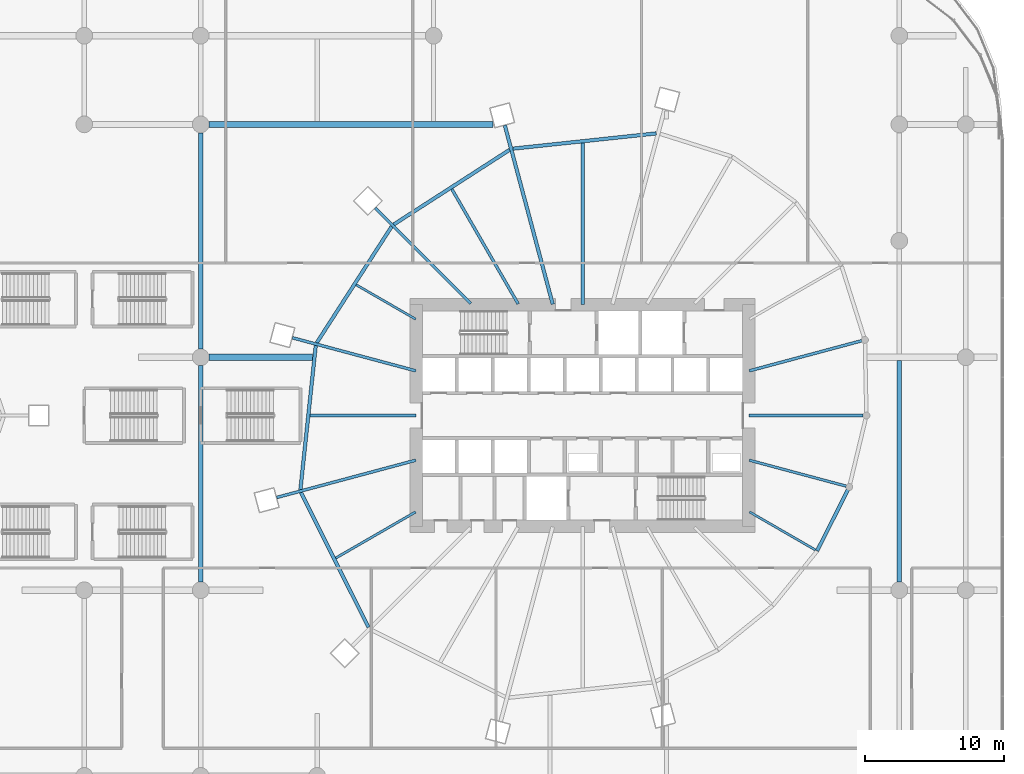
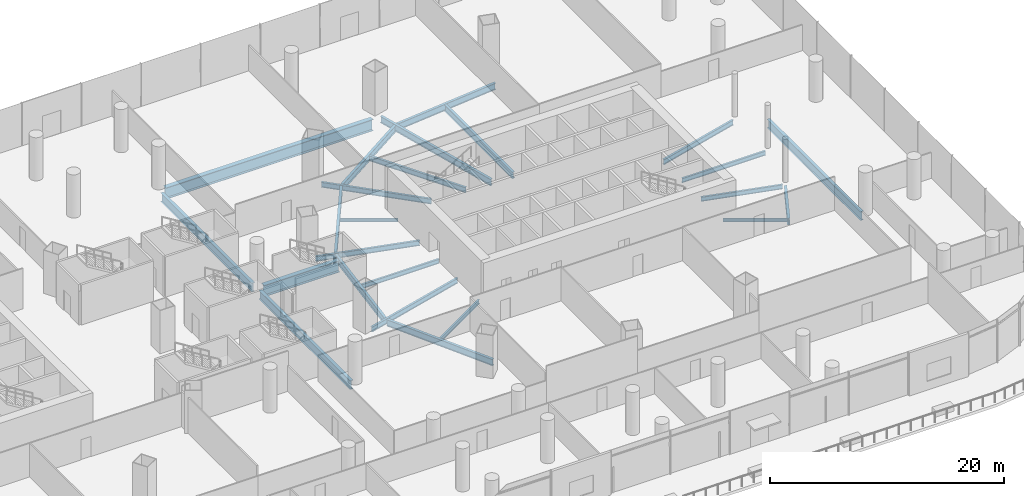
# One storey, part 15 of 43: 24 beams.
"""IFC4 building model written with IfcOpenShell, lengths in metres."""

from ifc_helpers import new_model, si_unit, direction, frame, origin, origin_2d, place, context, subcontext, project, spatial, i_section, extrude, material, material_profile, profile_set, type_object, element, save


model = new_model("IFC4")

# Units and contexts
model_context = context("Model", 3, precision=1e-05, world=origin(), true_north=direction((0.0, 1.0)))
body_context = subcontext(model_context, "Body", "Model", "MODEL_VIEW")
ifc_project = project(units=[si_unit("LENGTHUNIT", "METRE"), si_unit("AREAUNIT", "SQUARE_METRE"), si_unit("VOLUMEUNIT", "CUBIC_METRE"), si_unit("PLANEANGLEUNIT", "RADIAN"), si_unit("MASSUNIT", "GRAM", prefix="KILO")], contexts=[model_context])

# Site, building, storey
site_placement = place(None, origin())
site = spatial("IfcSite", under=ifc_project, at=site_placement, CompositionType="ELEMENT")
building_placement = place(site_placement, origin())
building = spatial("IfcBuilding", under=site, at=building_placement, Name="Rimbun Link Towers", CompositionType="ELEMENT")
storey_placement = place(building_placement, frame((0.0, 0.0, 12.0)))
storey = spatial("IfcBuildingStorey", under=building, at=storey_placement, Name="L02", CompositionType="ELEMENT", Elevation=12.0)

# Beams
ifc_material_1 = material(Name="Steel S355J2", Category="steel")
ifc_material_profile_1 = material_profile(ifc_material_1, i_section(OverallWidth=0.449951171875, OverallDepth=1.199951171875, WebThickness=0.030029296875, FlangeThickness=0.044921875, at=origin_2d()), Name="PG 1200x450x30/45")
ifc_profile_set_1 = profile_set([ifc_material_profile_1], Name="Steel S355J2")
beam_type_1 = type_object("IfcBeamType", Name="PG 1200x450x30/45", PredefinedType="BEAM", material=ifc_profile_set_1)
beam_1_placement = place(storey_placement, frame((4.800048828125, 4.199951171875, -0.89990234375), z_axis=(1.0, 0.0, 0.0), x_axis=(0.0, 1.0, 0.0)))
element("IfcBeam", 1, at=beam_1_placement, inside=storey, type_object=beam_type_1, Name="Grid beam L02 +4.2", PredefinedType="BEAM", context=body_context, shape_type="SweptSolid", body=[
    extrude(i_section(OverallWidth=0.449951171875, OverallDepth=1.199951171875, WebThickness=0.030029296875, FlangeThickness=0.044921875, at=origin_2d()), origin(), (0.0, 0.0, 1.0), 7.45751953125),
])
beam_2_placement = place(storey_placement, frame((4.800048828125, 21.0, -0.89990234375), z_axis=(1.0, 0.0, 0.0), x_axis=(0.0, 1.0, 0.0)))
element("IfcBeam", 2, at=beam_2_placement, inside=storey, type_object=beam_type_1, Name="Grid beam L02 +21.0", PredefinedType="BEAM", context=body_context, shape_type="SweptSolid", body=[
    extrude(i_section(OverallWidth=0.449951171875, OverallDepth=1.199951171875, WebThickness=0.030029296875, FlangeThickness=0.044921875, at=origin_2d()), origin(), (0.0, 0.0, 1.0), 20.47998046875),
])
ifc_material_2 = material(Name="Steel S355J2", Category="steel")
ifc_material_profile_2 = material_profile(ifc_material_2, i_section(OverallWidth=0.1650390625, OverallDepth=0.303466796875, WebThickness=0.006103515625, FlangeThickness=0.01025390625, at=origin_2d()), Name="UB 305x165x40")
ifc_profile_set_2 = profile_set([ifc_material_profile_2], Name="Steel S355J2")
beam_type_2 = type_object("IfcBeamType", Name="UB 305x165x40", PredefinedType="BEAM", material=ifc_profile_set_2)
beam_3_placement = place(storey_placement, frame((19.7080078125, 6.952392578125, -0.45166015625), z_axis=(-0.866029649098, 0.49999264683, 0.0), x_axis=(-0.49999264683, -0.866029649098, 0.0)))
element("IfcBeam", 3, at=beam_3_placement, inside=storey, type_object=beam_type_2, Name="Radial beam T2 L02 07", PredefinedType="BEAM", context=body_context, shape_type="SweptSolid", body=[
    extrude(i_section(OverallWidth=0.1650390625, OverallDepth=0.303466796875, WebThickness=0.006103515625, FlangeThickness=0.01025390625, at=origin_2d()), origin(), (0.0, 0.0, 1.0), 4.95361328125),
])
beam_4_placement = place(storey_placement, frame((43.7919921875, -6.952392578125, -0.45166015625), z_axis=(0.86600383438, -0.500037357444, 0.0), x_axis=(0.500037357444, 0.86600383438, 0.0)))
element("IfcBeam", 4, at=beam_4_placement, inside=storey, type_object=beam_type_2, Name="Radial beam T2 L02 19", PredefinedType="BEAM", context=body_context, shape_type="SweptSolid", body=[
    extrude(i_section(OverallWidth=0.1650390625, OverallDepth=0.303466796875, WebThickness=0.006103515625, FlangeThickness=0.01025390625, at=origin_2d()), origin(), (0.0, 0.0, 1.0), 5.5029296875),
])
ifc_material_3 = material(Name="Steel S355J2", Category="steel")
ifc_material_profile_3 = material_profile(ifc_material_3, i_section(OverallWidth=0.177978515625, OverallDepth=0.406494140625, WebThickness=0.0078125, FlangeThickness=0.0126953125, at=origin_2d()), Name="UB 406x178x60")
ifc_profile_set_3 = profile_set([ifc_material_profile_3], Name="Steel S355J2")
beam_type_3 = type_object("IfcBeamType", Name="UB 406x178x60", PredefinedType="BEAM", material=ifc_profile_set_3)
beam_5_placement = place(storey_placement, frame((19.70458984375, -6.954345703125, -0.503173828125), z_axis=(-0.866016262799, -0.500015832317, 0.0), x_axis=(0.500015832317, -0.866016262799, 0.0)))
element("IfcBeam", 5, at=beam_5_placement, inside=storey, type_object=beam_type_3, Name="Radial beam T2 L02 11", PredefinedType="BEAM", context=body_context, shape_type="SweptSolid", body=[
    extrude(i_section(OverallWidth=0.177978515625, OverallDepth=0.406494140625, WebThickness=0.0078125, FlangeThickness=0.0126953125, at=origin_2d()), origin(), (0.0, 0.0, 1.0), 6.651123046875),
])
ifc_material_4 = material(Name="Steel S355J2", Category="steel")
ifc_material_profile_4 = material_profile(ifc_material_4, i_section(OverallWidth=0.18994140625, OverallDepth=0.453369140625, WebThickness=0.008544921875, FlangeThickness=0.0126953125, at=origin_2d()), Name="UB 457x191x67")
ifc_profile_set_4 = profile_set([ifc_material_profile_4], Name="Steel S355J2")
beam_type_4 = type_object("IfcBeamType", Name="UB 457x191x67", PredefinedType="BEAM", material=ifc_profile_set_4)
beam_6_placement = place(storey_placement, frame((19.7490234375, 0.0, -0.526611328125), z_axis=(-1.0, 0.0, 0.0), x_axis=(0.0, -1.0, 0.0)))
element("IfcBeam", 6, at=beam_6_placement, inside=storey, type_object=beam_type_4, Name="Radial beam T2 L02 09", PredefinedType="BEAM", context=body_context, shape_type="SweptSolid", body=[
    extrude(i_section(OverallWidth=0.18994140625, OverallDepth=0.453369140625, WebThickness=0.008544921875, FlangeThickness=0.0126953125, at=origin_2d()), origin(), (0.0, 0.0, 1.0), 7.65771484375),
])
beam_7_placement = place(storey_placement, frame((43.775390625, -3.22216796875, -0.526611328125), z_axis=(0.965928471546, -0.258809172667, 0.0), x_axis=(0.258809172667, 0.965928471546, 0.0)))
element("IfcBeam", 7, at=beam_7_placement, inside=storey, type_object=beam_type_4, Name="Radial beam T2 L02 20", PredefinedType="BEAM", context=body_context, shape_type="SweptSolid", body=[
    extrude(i_section(OverallWidth=0.18994140625, OverallDepth=0.453369140625, WebThickness=0.008544921875, FlangeThickness=0.0126953125, at=origin_2d()), origin(), (0.0, 0.0, 1.0), 7.2353515625),
])
beam_8_placement = place(storey_placement, frame((43.7509765625, 0.0, -0.526611328125), z_axis=(1.0, 0.0, 0.0), x_axis=(0.0, 1.0, 0.0)))
element("IfcBeam", 8, at=beam_8_placement, inside=storey, type_object=beam_type_4, Name="Radial beam T2 L02 21", PredefinedType="BEAM", context=body_context, shape_type="SweptSolid", body=[
    extrude(i_section(OverallWidth=0.18994140625, OverallDepth=0.453369140625, WebThickness=0.008544921875, FlangeThickness=0.0126953125, at=origin_2d()), origin(), (0.0, 0.0, 1.0), 8.243408203125),
])
ifc_material_5 = material(Name="Steel S355J2", Category="steel")
ifc_material_profile_5 = material_profile(ifc_material_5, i_section(OverallWidth=0.209228515625, OverallDepth=0.533203125, WebThickness=0.010009765625, FlangeThickness=0.015625, at=origin_2d()), Name="UB 533x210x92")
ifc_profile_set_5 = profile_set([ifc_material_profile_5], Name="Steel S355J2")
beam_type_5 = type_object("IfcBeamType", Name="UB 533x210x92", PredefinedType="BEAM", material=ifc_profile_set_5)
beam_9_placement = place(storey_placement, frame((27.1005859375, 8.05322265625, -0.566650390625), z_axis=(-0.500001003139, 0.866024824621, 0.0), x_axis=(-0.866024824621, -0.500001003139, 0.0)))
element("IfcBeam", 9, at=beam_9_placement, inside=storey, type_object=beam_type_5, Name="Radial beam T2 L02 05", PredefinedType="BEAM", context=body_context, shape_type="SweptSolid", body=[
    extrude(i_section(OverallWidth=0.209228515625, OverallDepth=0.533203125, WebThickness=0.010009765625, FlangeThickness=0.015625, at=origin_2d()), origin(), (0.0, 0.0, 1.0), 9.5595703125),
])
beam_10_placement = place(storey_placement, frame((23.67529296875, 8.07470703125, -0.566650390625), z_axis=(-0.707106781187, 0.707106781187, 0.0), x_axis=(-0.707106781187, -0.707106781187, 0.0)))
element("IfcBeam", 10, at=beam_10_placement, inside=storey, type_object=beam_type_5, Name="Radial beam T2 L02 06", PredefinedType="BEAM", context=body_context, shape_type="SweptSolid", body=[
    extrude(i_section(OverallWidth=0.209228515625, OverallDepth=0.533203125, WebThickness=0.010009765625, FlangeThickness=0.015625, at=origin_2d()), origin(), (0.0, 0.0, 1.0), 9.73486328125),
])
beam_11_placement = place(storey_placement, frame((19.721923828125, 3.222900390625, -0.566650390625), z_axis=(-0.965927485499, 0.258812852768, 0.0), x_axis=(-0.258812852768, -0.965927485499, 0.0)))
element("IfcBeam", 11, at=beam_11_placement, inside=storey, type_object=beam_type_5, Name="Radial beam T2 L02 08", PredefinedType="BEAM", context=body_context, shape_type="SweptSolid", body=[
    extrude(i_section(OverallWidth=0.209228515625, OverallDepth=0.533203125, WebThickness=0.010009765625, FlangeThickness=0.015625, at=origin_2d()), origin(), (0.0, 0.0, 1.0), 9.219970703125),
])
beam_12_placement = place(storey_placement, frame((19.721923828125, -3.222900390625, -0.566650390625), z_axis=(-0.965924246626, -0.258824940413, 0.0), x_axis=(0.258824940413, -0.965924246626, 0.0)))
element("IfcBeam", 12, at=beam_12_placement, inside=storey, type_object=beam_type_5, Name="Radial beam T2 L02 10", PredefinedType="BEAM", context=body_context, shape_type="SweptSolid", body=[
    extrude(i_section(OverallWidth=0.209228515625, OverallDepth=0.533203125, WebThickness=0.010009765625, FlangeThickness=0.015625, at=origin_2d()), origin(), (0.0, 0.0, 1.0), 10.391845703125),
])
beam_13_placement = place(storey_placement, frame((43.778076171875, 3.222900390625, -0.566650390625), z_axis=(0.965923668539, 0.258827097802, 0.0), x_axis=(-0.258827097802, 0.965923668539, 0.0)))
element("IfcBeam", 13, at=beam_13_placement, inside=storey, type_object=beam_type_5, Name="Radial beam T2 L02 22", PredefinedType="BEAM", context=body_context, shape_type="SweptSolid", body=[
    extrude(i_section(OverallWidth=0.209228515625, OverallDepth=0.533203125, WebThickness=0.010009765625, FlangeThickness=0.015625, at=origin_2d()), origin(), (0.0, 0.0, 1.0), 8.402587890625),
])
ifc_material_6 = material(Name="Steel S355J2", Category="steel")
ifc_material_profile_6 = material_profile(ifc_material_6, i_section(OverallWidth=0.253662109375, OverallDepth=0.68359375, WebThickness=0.012451171875, FlangeThickness=0.01904296875, at=origin_2d()), Name="UB 686x254x140")
ifc_profile_set_6 = profile_set([ifc_material_profile_6], Name="Steel S355J2")
beam_type_6 = type_object("IfcBeamType", Name="UB 686x254x140", PredefinedType="BEAM", material=ifc_profile_set_6)
beam_14_placement = place(storey_placement, frame((31.75, 8.0009765625, -0.641845703125), z_axis=(0.0, 1.0, 0.0), x_axis=(-1.0, 0.0, 0.0)))
element("IfcBeam", 14, at=beam_14_placement, inside=storey, type_object=beam_type_6, Name="Radial beam T2 L02 03", PredefinedType="BEAM", context=body_context, shape_type="SweptSolid", body=[
    extrude(i_section(OverallWidth=0.253662109375, OverallDepth=0.68359375, WebThickness=0.012451171875, FlangeThickness=0.01904296875, at=origin_2d()), origin(), (0.0, 0.0, 1.0), 11.65771484375),
])
beam_15_placement = place(storey_placement, frame((29.597412109375, 8.03369140625, -0.641845703125), z_axis=(-0.258816190288, 0.96592659123, 0.0), x_axis=(-0.96592659123, -0.258816190288, 0.0)))
element("IfcBeam", 15, at=beam_15_placement, inside=storey, type_object=beam_type_6, Name="Radial beam T2 L02 04", PredefinedType="BEAM", context=body_context, shape_type="SweptSolid", body=[
    extrude(i_section(OverallWidth=0.253662109375, OverallDepth=0.68359375, WebThickness=0.012451171875, FlangeThickness=0.01904296875, at=origin_2d()), origin(), (0.0, 0.0, 1.0), 13.355224609375),
])
beam_16_placement = place(storey_placement, frame((37.064697265625, 20.353271484375, -0.641845703125), z_axis=(-0.994376453373, -0.105903111275, 0.0), x_axis=(0.105903111275, -0.994376453373, 0.0)))
element("IfcBeam", 16, at=beam_16_placement, inside=storey, type_object=beam_type_6, Name="Edge beam T2 L02 02-04", PredefinedType="BEAM", context=body_context, shape_type="SweptSolid", body=[
    extrude(i_section(OverallWidth=0.253662109375, OverallDepth=0.68359375, WebThickness=0.012451171875, FlangeThickness=0.01904296875, at=origin_2d()), origin(), (0.0, 0.0, 1.0), 10.3994140625),
])
beam_17_placement = place(storey_placement, frame((26.482421875, 19.16552734375, -0.641845703125), z_axis=(-0.840626167656, -0.541615773636, 0.0), x_axis=(0.541615773636, -0.840626167656, 0.0)))
element("IfcBeam", 17, at=beam_17_placement, inside=storey, type_object=beam_type_6, Name="Edge beam T2 L02 04-06", PredefinedType="BEAM", context=body_context, shape_type="SweptSolid", body=[
    extrude(i_section(OverallWidth=0.253662109375, OverallDepth=0.68359375, WebThickness=0.012451171875, FlangeThickness=0.01904296875, at=origin_2d()), origin(), (0.0, 0.0, 1.0), 9.946533203125),
])
beam_18_placement = place(storey_placement, frame((17.9716796875, 13.62890625, -0.641845703125), z_axis=(-0.541606359312, -0.840632233235, 0.0), x_axis=(0.840632233235, -0.541606359312, 0.0)))
element("IfcBeam", 18, at=beam_18_placement, inside=storey, type_object=beam_type_6, Name="Edge beam T2 L02 06-08", PredefinedType="BEAM", context=body_context, shape_type="SweptSolid", body=[
    extrude(i_section(OverallWidth=0.253662109375, OverallDepth=0.68359375, WebThickness=0.012451171875, FlangeThickness=0.01904296875, at=origin_2d()), origin(), (0.0, 0.0, 1.0), 9.9697265625),
])
beam_19_placement = place(storey_placement, frame((12.50048828125, 5.048583984375, -0.641845703125), z_axis=(-0.105900549099, -0.994376726246, 0.0), x_axis=(0.994376726246, -0.105900549099, 0.0)))
element("IfcBeam", 19, at=beam_19_placement, inside=storey, type_object=beam_type_6, Name="Edge beam T2 L02 08-10", PredefinedType="BEAM", context=body_context, shape_type="SweptSolid", body=[
    extrude(i_section(OverallWidth=0.253662109375, OverallDepth=0.68359375, WebThickness=0.012451171875, FlangeThickness=0.01904296875, at=origin_2d()), origin(), (0.0, 0.0, 1.0), 10.45263671875),
])
beam_20_placement = place(storey_placement, frame((11.429931640625, -5.55419921875, -0.641845703125), z_axis=(0.448516294104, -0.893774655002, 0.0), x_axis=(0.893774655002, 0.448516294104, 0.0)))
element("IfcBeam", 20, at=beam_20_placement, inside=storey, type_object=beam_type_6, Name="Edge beam T2 L02 10-12", PredefinedType="BEAM", context=body_context, shape_type="SweptSolid", body=[
    extrude(i_section(OverallWidth=0.253662109375, OverallDepth=0.68359375, WebThickness=0.012451171875, FlangeThickness=0.01904296875, at=origin_2d()), origin(), (0.0, 0.0, 1.0), 10.865966796875),
])
beam_21_placement = place(storey_placement, frame((48.67529296875, -9.7548828125, -0.641845703125), z_axis=(0.449213825597, 0.893424277089, 0.0), x_axis=(-0.893424277089, 0.449213825597, 0.0)))
element("IfcBeam", 21, at=beam_21_placement, inside=storey, type_object=beam_type_6, Name="Edge beam T2 L02 19", PredefinedType="BEAM", context=body_context, shape_type="SweptSolid", body=[
    extrude(i_section(OverallWidth=0.253662109375, OverallDepth=0.68359375, WebThickness=0.012451171875, FlangeThickness=0.01904296875, at=origin_2d()), origin(), (0.0, 0.0, 1.0), 4.92822265625),
])
ifc_material_7 = material(Name="Steel S355J2", Category="steel")
ifc_material_profile_7 = material_profile(ifc_material_7, i_section(OverallWidth=0.305419921875, OverallDepth=0.91845703125, WebThickness=0.017333984375, FlangeThickness=0.02783203125, at=origin_2d()), Name="UB 914x305x253")
ifc_profile_set_7 = profile_set([ifc_material_profile_7], Name="Steel S355J2")
beam_type_7 = type_object("IfcBeamType", Name="UB 914x305x253", PredefinedType="BEAM", material=ifc_profile_set_7)
beam_22_placement = place(storey_placement, frame((4.199951171875, -12.0, -0.75927734375), z_axis=(0.0, 1.0, 0.0), x_axis=(-1.0, 0.0, 0.0)))
element("IfcBeam", 22, at=beam_22_placement, inside=storey, type_object=beam_type_7, Name="Grid beam L02 +4.2", PredefinedType="BEAM", context=body_context, shape_type="SweptSolid", body=[
    extrude(i_section(OverallWidth=0.305419921875, OverallDepth=0.91845703125, WebThickness=0.017333984375, FlangeThickness=0.02783203125, at=origin_2d()), origin(), (0.0, 0.0, 1.0), 15.60009765625),
])
beam_23_placement = place(storey_placement, frame((4.199951171875, 4.800048828125, -0.75927734375), z_axis=(0.0, 1.0, 0.0), x_axis=(-1.0, 0.0, 0.0)))
element("IfcBeam", 23, at=beam_23_placement, inside=storey, type_object=beam_type_7, Name="Grid beam L02 +4.2", PredefinedType="BEAM", context=body_context, shape_type="SweptSolid", body=[
    extrude(i_section(OverallWidth=0.305419921875, OverallDepth=0.91845703125, WebThickness=0.017333984375, FlangeThickness=0.02783203125, at=origin_2d()), origin(), (0.0, 0.0, 1.0), 15.599853515625),
])
beam_24_placement = place(storey_placement, frame((54.60009765625, -12.0, -0.75927734375), z_axis=(0.0, 1.0, 0.0), x_axis=(-1.0, 0.0, 0.0)))
element("IfcBeam", 24, at=beam_24_placement, inside=storey, type_object=beam_type_7, Name="Grid beam L02 +54.6", PredefinedType="BEAM", context=body_context, shape_type="SweptSolid", body=[
    extrude(i_section(OverallWidth=0.305419921875, OverallDepth=0.91845703125, WebThickness=0.017333984375, FlangeThickness=0.02783203125, at=origin_2d()), origin(), (0.0, 0.0, 1.0), 15.97509765625),
])

save(model, "model.ifc")
